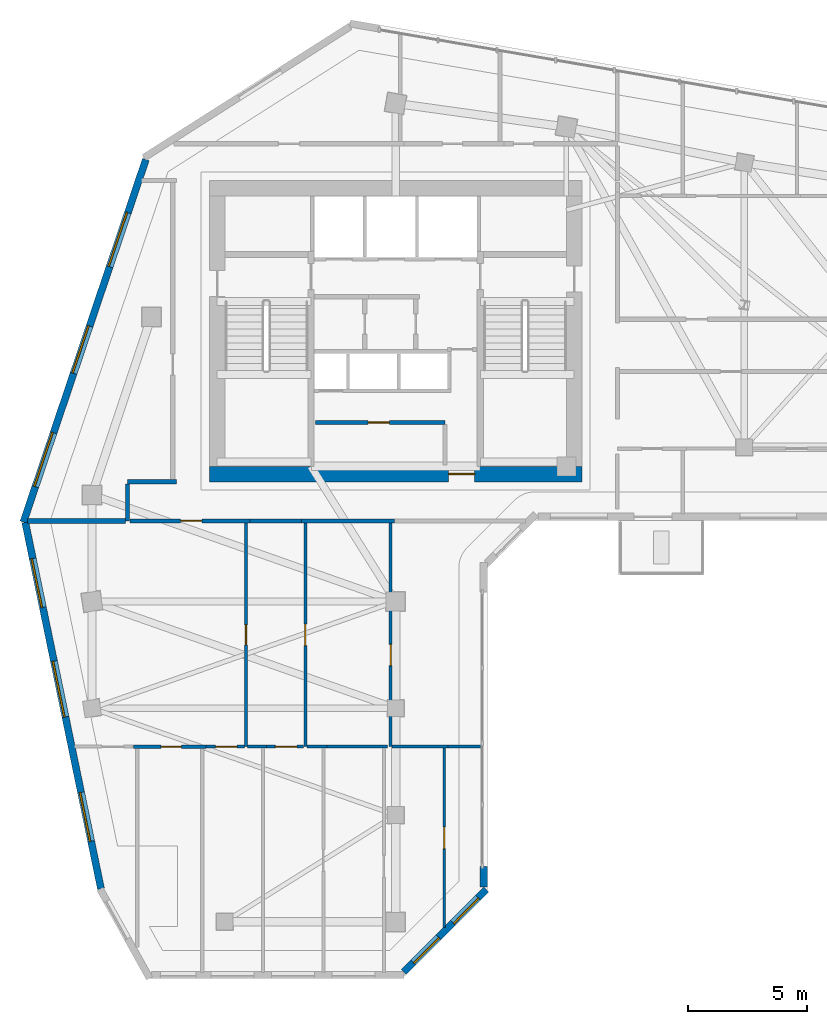
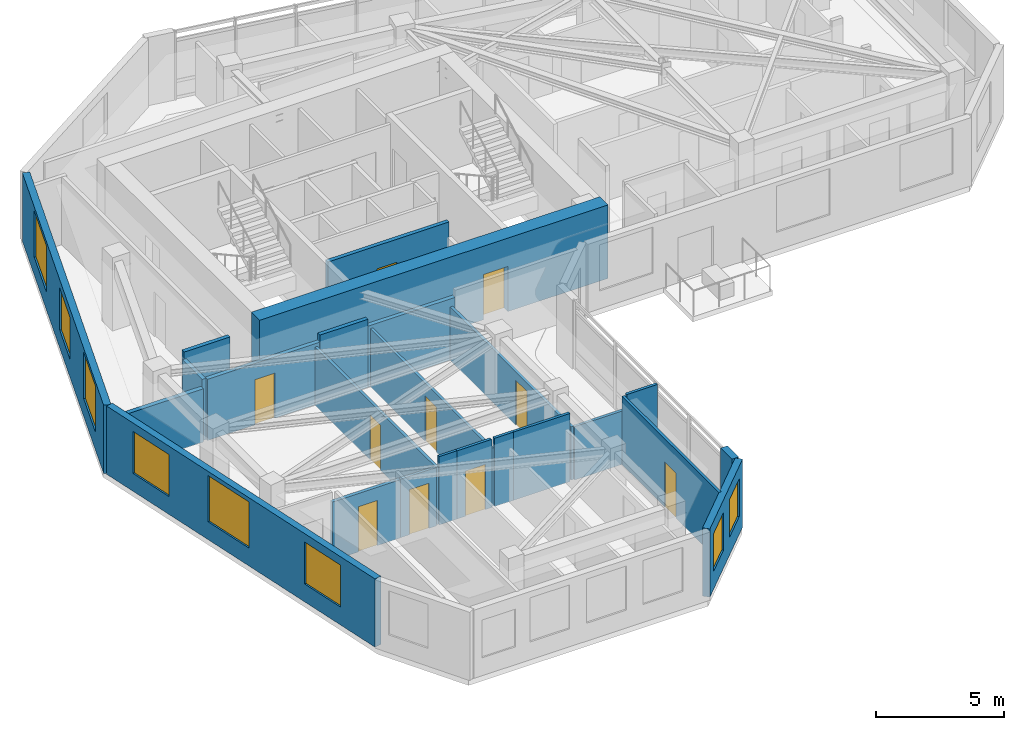
# One storey, part 5 of 11: 24 walls, 10 doors, 8 windows, 18 openings.
"""IFC4 building model written with IfcOpenShell, lengths in metres."""

from ifc_helpers import new_model, si_unit, direction, frame, frame_2d, origin, place, context, subcontext, project, spatial, rectangle, extrude, source, transform, mapped, material, layer, layer_set, type_object, element, fill, save


model = new_model("IFC4")

# Units and contexts
model_context = context("Model", 3, precision=1e-05, world=origin(), true_north=direction((0.0, 1.0)))
body_context = subcontext(model_context, "Body", "Model", "MODEL_VIEW")
ifc_project = project(units=[si_unit("LENGTHUNIT", "METRE"), si_unit("AREAUNIT", "SQUARE_METRE"), si_unit("VOLUMEUNIT", "CUBIC_METRE"), si_unit("PLANEANGLEUNIT", "RADIAN"), si_unit("MASSUNIT", "GRAM", prefix="KILO")], contexts=[model_context])

# Site, building, storey
site_placement = place(None, origin())
site = spatial("IfcSite", under=ifc_project, at=site_placement, CompositionType="ELEMENT")
building_placement = place(site_placement, origin())
building = spatial("IfcBuilding", under=site, at=building_placement, Name="Calvemar Wedge Station Tower", CompositionType="ELEMENT")
storey_placement = place(building_placement, frame((0.0, 0.0, 186.89990234375)))
storey = spatial("IfcBuildingStorey", under=building, at=storey_placement, Name="L46", CompositionType="ELEMENT", Elevation=186.89990234375)

# Wall, opening, door
ifc_material_1 = material(Name="Concrete C60", Category="concrete")
ifc_layer_1 = layer(ifc_material_1, 0.64990234375)
ifc_layer_set_1 = layer_set([ifc_layer_1], Name="Concrete C60")
wall_type_1 = type_object("IfcWallType", Name="SW-CORE-650", PredefinedType="SHEAR", material=ifc_layer_set_1)
wall_1_placement = place(storey_placement, frame((15.949951171875, 33.875, 0.0), z_axis=(0.0, 0.0, 1.0), x_axis=(1.0, 0.0, 0.0)))
wall_1 = element("IfcWall", 1, at=wall_1_placement, inside=storey, type_object=wall_type_1, Name="Storey L46 Core Shear Wall S", PredefinedType="SHEAR", context=body_context, shape_type="SweptSolid", body=[
    extrude(rectangle(XDim=15.699951171875, YDim=0.64990234375, at=frame_2d((7.85009765625, 0.0))), origin(), (0.0, 0.0, 1.0), 3.5),
])
shared_shape_1 = source(origin(), body_context, "Body", "SweptSolid", [
    extrude(rectangle(XDim=1.10009765625, YDim=2.14990234375, at=frame_2d((0.550048828125, 1.074951171875))), frame((0.0, 0.3349609375, 0.0), z_axis=(0.0, -1.0, 0.0), x_axis=(1.0, 0.0, 0.0)), (0.0, 0.0, 1.0), 0.669921875),
])
opening_1_placement = place(wall_1_placement, frame((10.080078125, 0.0, 0.0)))
opening_1 = element("IfcOpeningElement", 2, at=opening_1_placement, cuts=wall_1, Name="Opening FD-90", PredefinedType="OPENING", context=body_context, shape_type="MappedRepresentation", body=[
    mapped(shared_shape_1, transform((0.0, 0.0, 0.0), scale=1.0)),
])
ifc_material_2 = material(Name="Galvanized fire-rated steel door leaf P-90", Category="steel")
door_type_1 = type_object("IfcDoorType", Name="DR-FD90-1100", OperationType="NOTDEFINED", PredefinedType="DOOR", material=ifc_material_2)
shared_shape_2 = source(origin(), body_context, "Body", "SweptSolid", [
    extrude(rectangle(XDim=1.10009765625, YDim=2.14990234375, at=frame_2d((0.550048828125, 1.074951171875))), frame((0.0, 0.02490234375, 0.0), z_axis=(0.0, -1.0, 0.0), x_axis=(1.0, 0.0, 0.0)), (0.0, 0.0, 1.0), 0.050048828125),
])
door_1_placement = place(opening_1_placement, origin())
door_1 = element("IfcDoor", 3, at=door_1_placement, inside=storey, type_object=door_type_1, Name="L46 Passenger Lift Lobby Door", OperationType="SINGLE_SWING_LEFT", OverallHeight=2.14990234375, OverallWidth=1.10009765625, PredefinedType="DOOR", context=body_context, shape_type="MappedRepresentation", body=[
    mapped(shared_shape_2, transform((0.0, 0.0, 0.0), scale=1.0)),
])
fill(opening_1, door_1)

ifc_material_3 = material(Name="Double-stud fire-rated corridor partition")
ifc_layer_2 = layer(ifc_material_3, 0.179931640625)
ifc_layer_set_2 = layer_set([ifc_layer_2], Name="Double-stud fire-rated corridor partition")
wall_type_2 = type_object("IfcWallType", Name="W-CORR-180", PredefinedType="PARTITIONING", material=ifc_layer_set_2)
wall_2_placement = place(storey_placement, frame((20.419921875, 36.050048828125, 0.0), z_axis=(0.0, 0.0, 1.0), x_axis=(1.0, 0.0, 0.0)))
wall_2 = element("IfcWall", 4, at=wall_2_placement, inside=storey, type_object=wall_type_2, Name="Storey L46 Interior Partition WL-L46-006", PredefinedType="PARTITIONING", context=body_context, shape_type="SweptSolid", body=[
    extrude(rectangle(XDim=5.4599609375, YDim=0.179931640625, at=frame_2d((2.72998046875, 0.0))), origin(), (0.0, 0.0, 1.0), 3.25),
])
shared_shape_3 = source(origin(), body_context, "Body", "SweptSolid", [
    extrude(rectangle(XDim=0.89990234375, YDim=2.14990234375, at=frame_2d((0.449951171875, 1.074951171875))), frame((0.0, 0.10009765625, 0.0), z_axis=(0.0, -1.0, 0.0), x_axis=(1.0, 0.0, 0.0)), (0.0, 0.0, 1.0), 0.199951171875),
])
opening_2_placement = place(wall_2_placement, frame((2.219482421875, 0.0, 0.0)))
opening_2 = element("IfcOpeningElement", 5, at=opening_2_placement, cuts=wall_2, Name="Opening FD-60", PredefinedType="OPENING", context=body_context, shape_type="MappedRepresentation", body=[
    mapped(shared_shape_3, transform((0.0, 0.0, 0.0), scale=1.0)),
])
ifc_material_4 = material(Name="Fire-rated acoustic timber-core entrance door EI 60", Category="wood")
door_type_2 = type_object("IfcDoorType", Name="DR-FD60-900", OperationType="NOTDEFINED", PredefinedType="DOOR", material=ifc_material_4)
shared_shape_4 = source(origin(), body_context, "Body", "SweptSolid", [
    extrude(rectangle(XDim=0.89990234375, YDim=2.14990234375, at=frame_2d((0.449951171875, 1.074951171875))), frame((0.0, 0.02490234375, 0.0), z_axis=(0.0, -1.0, 0.0), x_axis=(1.0, 0.0, 0.0)), (0.0, 0.0, 1.0), 0.050048828125),
])
door_2_placement = place(opening_2_placement, origin())
door_2 = element("IfcDoor", 6, at=door_2_placement, inside=storey, type_object=door_type_2, Name="L46 Parcel and Resident Store Door", OperationType="SINGLE_SWING_LEFT", OverallHeight=2.14990234375, OverallWidth=0.89990234375, PredefinedType="DOOR", context=body_context, shape_type="MappedRepresentation", body=[
    mapped(shared_shape_4, transform((0.0, 0.0, 0.0), scale=1.0)),
])
fill(opening_2, door_2)

# Walls
wall_3_placement = place(storey_placement, frame((12.5, 33.550048828125, 0.0), z_axis=(0.0, 0.0, 1.0), x_axis=(1.0, 0.0, 0.0)))
element("IfcWall", 7, at=wall_3_placement, inside=storey, type_object=wall_type_2, Name="Storey L46 Interior Partition WL-L46-008", PredefinedType="PARTITIONING", context=body_context, shape_type="SweptSolid", body=[
    extrude(rectangle(XDim=2.06005859375, YDim=0.179931640625, at=frame_2d((1.030029296875, 0.0))), origin(), (0.0, 0.0, 1.0), 3.25),
])
wall_4_placement = place(storey_placement, frame((12.5, 31.89990234375, 0.0), z_axis=(0.0, 0.0, 1.0), x_axis=(0.0, 1.0, 0.0)))
element("IfcWall", 8, at=wall_4_placement, inside=storey, type_object=wall_type_2, Name="Storey L46 Interior Partition WL-L46-009", PredefinedType="PARTITIONING", context=body_context, shape_type="SweptSolid", body=[
    extrude(rectangle(XDim=1.55615234375, YDim=0.179931640625, at=frame_2d((0.778076171875, 0.0))), origin(), (0.0, 0.0, 1.0), 2.919189453125),
])
wall_5_placement = place(storey_placement, frame((23.7509765625, 31.89990234375, 0.0), z_axis=(0.0, 0.0, 1.0), x_axis=(-1.0, 0.0, 0.0)))
element("IfcWall", 9, at=wall_5_placement, inside=storey, type_object=wall_type_2, Name="Storey L46 Interior Partition WL-L46-010", PredefinedType="PARTITIONING", context=body_context, shape_type="SweptSolid", body=[
    extrude(rectangle(XDim=3.919921875, YDim=0.179931640625, at=frame_2d((1.9599609375, 0.0))), origin(), (0.0, 0.0, 1.0), 2.919189453125),
])

# Wall, opening, door
wall_6_placement = place(storey_placement, frame((17.65087890625, 31.89990234375, 0.0), z_axis=(0.0, 0.0, 1.0), x_axis=(-1.0, 0.0, 0.0)))
wall_6 = element("IfcWall", 10, at=wall_6_placement, inside=storey, type_object=wall_type_2, Name="Storey L46 Interior Partition WL-L46-012", PredefinedType="PARTITIONING", context=body_context, shape_type="SweptSolid", body=[
    extrude(rectangle(XDim=5.056884765625, YDim=0.179931640625, at=frame_2d((2.5283203125, 0.0))), origin(), (0.0, 0.0, 1.0), 2.919189453125),
])
opening_3_placement = place(wall_6_placement, frame((2.0166015625, 0.0, 0.0)))
opening_3 = element("IfcOpeningElement", 11, at=opening_3_placement, cuts=wall_6, Name="Opening FD-60", PredefinedType="OPENING", context=body_context, shape_type="MappedRepresentation", body=[
    mapped(shared_shape_3, transform((0.0, 0.0, 0.0), scale=1.0)),
])
door_3_placement = place(opening_3_placement, origin())
door_3 = element("IfcDoor", 12, at=door_3_placement, inside=storey, type_object=door_type_2, Name="L46 Living Dining Door", OperationType="SINGLE_SWING_LEFT", OverallHeight=2.14990234375, OverallWidth=0.89990234375, PredefinedType="DOOR", context=body_context, shape_type="MappedRepresentation", body=[
    mapped(shared_shape_4, transform((0.0, 0.0, 0.0), scale=1.0)),
])
fill(opening_3, door_3)

# Walls
wall_7_placement = place(storey_placement, frame((19.8291015625, 31.89990234375, 0.0), z_axis=(0.0, 0.0, 1.0), x_axis=(-1.0, 0.0, 0.0)))
element("IfcWall", 13, at=wall_7_placement, inside=storey, type_object=wall_type_2, Name="Storey L46 Interior Partition WL-L46-013", PredefinedType="PARTITIONING", context=body_context, shape_type="SweptSolid", body=[
    extrude(rectangle(XDim=2.176025390625, YDim=0.179931640625, at=frame_2d((1.087890625, 0.0))), origin(), (0.0, 0.0, 1.0), 3.25),
])
ifc_material_5 = material(Name="Twin-stud fire-rated inter-tenancy wall")
ifc_layer_3 = layer(ifc_material_5, 0.199951171875)
ifc_layer_set_3 = layer_set([ifc_layer_3], Name="Twin-stud fire-rated inter-tenancy wall")
wall_type_3 = type_object("IfcWallType", Name="W-DEMISE-200", PredefinedType="PARTITIONING", material=ifc_layer_set_3)
wall_8_placement = place(storey_placement, frame((12.406005859375, 31.89990234375, 0.0), z_axis=(0.0, 0.0, 1.0), x_axis=(-1.0, 0.0, 0.0)))
element("IfcWall", 14, at=wall_8_placement, inside=storey, type_object=wall_type_3, Name="Storey L46 Interior Partition WL-L46-023", PredefinedType="PARTITIONING", context=body_context, shape_type="SweptSolid", body=[
    extrude(rectangle(XDim=4.11474609375, YDim=0.199951171875, at=frame_2d((2.057373046875, 0.0))), origin(), (0.0, 0.0, 1.0), 2.5419921875),
])

# Wall, openings, windows
ifc_material_6 = material(Name="Precast concrete C45", Category="concrete")
ifc_layer_4 = layer(ifc_material_6, 0.300048828125)
ifc_layer_set_4 = layer_set([ifc_layer_4], Name="Precast concrete C45")
wall_type_4 = type_object("IfcWallType", Name="W-EXT-GFRC-300", PredefinedType="SOLIDWALL", material=ifc_layer_set_4)
wall_9_placement = place(storey_placement, frame((24.139892578125, 12.887939453125, 0.0), z_axis=(0.0, 0.0, 1.0), x_axis=(0.707106781187, 0.707106781187, 0.0)))
wall_9 = element("IfcWall", 15, at=wall_9_placement, inside=storey, type_object=wall_type_4, Name="Storey L46 Bronze GFRC Exterior Wall 3", PredefinedType="SOLIDWALL", context=body_context, shape_type="SweptSolid", body=[
    extrude(rectangle(XDim=4.921875, YDim=0.300048828125, at=frame_2d((2.4609375, 0.0))), origin(), (0.0, 0.0, 1.0), 3.25),
])
shared_shape_5 = source(origin(), body_context, "Body", "SweptSolid", [
    extrude(rectangle(XDim=1.5, YDim=1.800048828125, at=frame_2d((0.75, 0.89990234375))), frame((0.0, 0.16015625, 0.0), z_axis=(0.0, -1.0, 0.0), x_axis=(1.0, 0.0, 0.0)), (0.0, 0.0, 1.0), 0.320068359375),
])
opening_4_placement = place(wall_9_placement, frame((0.56689453125, 0.0, 0.85009765625)))
opening_4 = element("IfcOpeningElement", 16, at=opening_4_placement, cuts=wall_9, Name="Opening W3", PredefinedType="OPENING", context=body_context, shape_type="MappedRepresentation", body=[
    mapped(shared_shape_5, transform((0.0, 0.0, 0.0), scale=1.0)),
])
opening_5_placement = place(wall_9_placement, frame((2.927978515625, 0.0, 0.85009765625)))
opening_5 = element("IfcOpeningElement", 17, at=opening_5_placement, cuts=wall_9, Name="Opening W3", PredefinedType="OPENING", context=body_context, shape_type="MappedRepresentation", body=[
    mapped(shared_shape_5, transform((0.0, 0.0, 0.0), scale=1.0)),
])
ifc_material_7 = material(Name="Low-E laminated insulated glass", Category="glass")
window_type_1 = type_object("IfcWindowType", Name="WIN-EXT-3", PartitioningType="SINGLE_PANEL", PredefinedType="WINDOW", material=ifc_material_7)
shared_shape_6 = source(origin(), body_context, "Body", "SweptSolid", [
    extrude(rectangle(XDim=1.5, YDim=1.800048828125, at=frame_2d((0.75, 0.89990234375))), frame((0.0, -0.014892578125, 0.0), z_axis=(0.0, -1.0, 0.0), x_axis=(1.0, 0.0, 0.0)), (0.0, 0.0, 1.0), 0.06005859375),
])
window_1_placement = place(opening_4_placement, origin())
window_1 = element("IfcWindow", 18, at=window_1_placement, inside=storey, type_object=window_type_1, Name="Storey L46 Recessed Window 3.1", OverallHeight=1.800048828125, OverallWidth=1.5, PartitioningType="SINGLE_PANEL", PredefinedType="WINDOW", context=body_context, shape_type="MappedRepresentation", body=[
    mapped(shared_shape_6, transform((0.0, 0.0, 0.0), scale=1.0)),
])
fill(opening_4, window_1)
window_2_placement = place(opening_5_placement, origin())
window_2 = element("IfcWindow", 19, at=window_2_placement, inside=storey, type_object=window_type_1, Name="Storey L46 Recessed Window 3.2", OverallHeight=1.800048828125, OverallWidth=1.5, PartitioningType="SINGLE_PANEL", PredefinedType="WINDOW", context=body_context, shape_type="MappedRepresentation", body=[
    mapped(shared_shape_6, transform((0.0, 0.0, 0.0), scale=1.0)),
])
fill(opening_5, window_2)

# Wall
wall_10_placement = place(storey_placement, frame((27.513916015625, 16.457275390625, 0.0), z_axis=(0.0, 0.0, 1.0), x_axis=(0.0, 1.0, 0.0)))
element("IfcWall", 20, at=wall_10_placement, inside=storey, type_object=wall_type_4, Name="Storey L46 Bronze GFRC Corner Pier 4A", PredefinedType="SOLIDWALL", context=body_context, shape_type="SweptSolid", body=[
    extrude(rectangle(XDim=0.88232421875, YDim=0.300048828125, at=frame_2d((0.441162109375, 0.0))), origin(), (0.0, 0.0, 1.0), 3.25),
])

# Wall, openings, windows
wall_11_placement = place(storey_placement, frame((13.2685546875, 47.1337890625, 0.0), z_axis=(0.0, 0.0, 1.0), x_axis=(-0.319920776449, -0.947444297464, 0.0)))
wall_11 = element("IfcWall", 21, at=wall_11_placement, inside=storey, type_object=wall_type_4, Name="Storey L46 Bronze GFRC Exterior Wall 12", PredefinedType="SOLIDWALL", context=body_context, shape_type="SweptSolid", body=[
    extrude(rectangle(XDim=16.13330078125, YDim=0.300048828125, at=frame_2d((8.066650390625, 0.0))), origin(), (0.0, 0.0, 1.0), 3.25),
])
shared_shape_7 = source(origin(), body_context, "Body", "SweptSolid", [
    extrude(rectangle(XDim=2.39990234375, YDim=2.199951171875, at=frame_2d((1.199951171875, 1.10009765625))), frame((0.0, 0.16015625, 0.0), z_axis=(0.0, -1.0, 0.0), x_axis=(1.0, 0.0, 0.0)), (0.0, 0.0, 1.0), 0.320068359375),
])
opening_6_placement = place(wall_11_placement, frame((2.363037109375, 0.0, 0.85009765625)))
opening_6 = element("IfcOpeningElement", 22, at=opening_6_placement, cuts=wall_11, Name="Opening W1", PredefinedType="OPENING", context=body_context, shape_type="MappedRepresentation", body=[
    mapped(shared_shape_7, transform((0.0, 0.0, 0.0), scale=1.0)),
])
shared_shape_8 = source(origin(), body_context, "Body", "SweptSolid", [
    extrude(rectangle(XDim=2.10009765625, YDim=2.0, at=frame_2d((1.050048828125, 1.0))), frame((0.0, 0.16015625, 0.0), z_axis=(0.0, -1.0, 0.0), x_axis=(1.0, 0.0, 0.0)), (0.0, 0.0, 1.0), 0.320068359375),
])
opening_7_placement = place(wall_11_placement, frame((7.409912109375, 0.0, 0.85009765625)))
opening_7 = element("IfcOpeningElement", 23, at=opening_7_placement, cuts=wall_11, Name="Opening W4", PredefinedType="OPENING", context=body_context, shape_type="MappedRepresentation", body=[
    mapped(shared_shape_8, transform((0.0, 0.0, 0.0), scale=1.0)),
])
opening_8_placement = place(wall_11_placement, frame((12.156982421875, 0.0, 0.85009765625)))
opening_8 = element("IfcOpeningElement", 24, at=opening_8_placement, cuts=wall_11, Name="Opening W1", PredefinedType="OPENING", context=body_context, shape_type="MappedRepresentation", body=[
    mapped(shared_shape_7, transform((0.0, 0.0, 0.0), scale=1.0)),
])
window_type_2 = type_object("IfcWindowType", Name="WIN-EXT-4", PartitioningType="SINGLE_PANEL", PredefinedType="WINDOW", material=ifc_material_7)
shared_shape_9 = source(origin(), body_context, "Body", "SweptSolid", [
    extrude(rectangle(XDim=2.10009765625, YDim=2.0, at=frame_2d((1.050048828125, 1.0))), frame((0.0, -0.014892578125, 0.0), z_axis=(0.0, -1.0, 0.0), x_axis=(1.0, 0.0, 0.0)), (0.0, 0.0, 1.0), 0.06005859375),
])
window_3_placement = place(opening_7_placement, origin())
window_3 = element("IfcWindow", 25, at=window_3_placement, inside=storey, type_object=window_type_2, Name="Storey L46 Recessed Window 12.2", OverallHeight=2.0, OverallWidth=2.10009765625, PartitioningType="SINGLE_PANEL", PredefinedType="WINDOW", context=body_context, shape_type="MappedRepresentation", body=[
    mapped(shared_shape_9, transform((0.0, 0.0, 0.0), scale=1.0)),
])
fill(opening_7, window_3)
window_type_3 = type_object("IfcWindowType", Name="WIN-EXT-1", PartitioningType="SINGLE_PANEL", PredefinedType="WINDOW", material=ifc_material_7)
shared_shape_10 = source(origin(), body_context, "Body", "SweptSolid", [
    extrude(rectangle(XDim=2.39990234375, YDim=2.199951171875, at=frame_2d((1.199951171875, 1.10009765625))), frame((0.0, -0.014892578125, 0.0), z_axis=(0.0, -1.0, 0.0), x_axis=(1.0, 0.0, 0.0)), (0.0, 0.0, 1.0), 0.06005859375),
])
window_4_placement = place(opening_6_placement, origin())
window_4 = element("IfcWindow", 26, at=window_4_placement, inside=storey, type_object=window_type_3, Name="Storey L46 Recessed Window 12.1", OverallHeight=2.199951171875, OverallWidth=2.39990234375, PartitioningType="SINGLE_PANEL", PredefinedType="WINDOW", context=body_context, shape_type="MappedRepresentation", body=[
    mapped(shared_shape_10, transform((0.0, 0.0, 0.0), scale=1.0)),
])
fill(opening_6, window_4)
window_5_placement = place(opening_8_placement, origin())
window_5 = element("IfcWindow", 27, at=window_5_placement, inside=storey, type_object=window_type_3, Name="Storey L46 Recessed Window 12.3", OverallHeight=2.199951171875, OverallWidth=2.39990234375, PartitioningType="SINGLE_PANEL", PredefinedType="WINDOW", context=body_context, shape_type="MappedRepresentation", body=[
    mapped(shared_shape_10, transform((0.0, 0.0, 0.0), scale=1.0)),
])
fill(opening_8, window_5)

wall_12_placement = place(storey_placement, frame((8.1875, 31.833984375, 0.0), z_axis=(0.0, 0.0, 1.0), x_axis=(0.202303475707, -0.979322880217, 0.0)))
wall_12 = element("IfcWall", 28, at=wall_12_placement, inside=storey, type_object=wall_type_4, Name="Storey L46 Bronze GFRC Exterior Wall 13", PredefinedType="SOLIDWALL", context=body_context, shape_type="SweptSolid", body=[
    extrude(rectangle(XDim=15.765625, YDim=0.300048828125, at=frame_2d((7.8828125, 0.0))), origin(), (0.0, 0.0, 1.0), 3.25),
])
opening_9_placement = place(wall_12_placement, frame((1.553955078125, 0.0, 0.85009765625)))
opening_9 = element("IfcOpeningElement", 29, at=opening_9_placement, cuts=wall_12, Name="Opening W4", PredefinedType="OPENING", context=body_context, shape_type="MappedRepresentation", body=[
    mapped(shared_shape_8, transform((0.0, 0.0, 0.0), scale=1.0)),
])
opening_10_placement = place(wall_12_placement, frame((5.970947265625, 0.0, 0.85009765625)))
opening_10 = element("IfcOpeningElement", 30, at=opening_10_placement, cuts=wall_12, Name="Opening W1", PredefinedType="OPENING", context=body_context, shape_type="MappedRepresentation", body=[
    mapped(shared_shape_7, transform((0.0, 0.0, 0.0), scale=1.0)),
])
opening_11_placement = place(wall_12_placement, frame((11.6201171875, 0.0, 0.85009765625)))
opening_11 = element("IfcOpeningElement", 31, at=opening_11_placement, cuts=wall_12, Name="Opening W4", PredefinedType="OPENING", context=body_context, shape_type="MappedRepresentation", body=[
    mapped(shared_shape_8, transform((0.0, 0.0, 0.0), scale=1.0)),
])
window_6_placement = place(opening_9_placement, origin())
window_6 = element("IfcWindow", 32, at=window_6_placement, inside=storey, type_object=window_type_2, Name="Storey L46 Recessed Window 13.1", OverallHeight=2.0, OverallWidth=2.10009765625, PartitioningType="SINGLE_PANEL", PredefinedType="WINDOW", context=body_context, shape_type="MappedRepresentation", body=[
    mapped(shared_shape_9, transform((0.0, 0.0, 0.0), scale=1.0)),
])
fill(opening_9, window_6)
window_7_placement = place(opening_11_placement, origin())
window_7 = element("IfcWindow", 33, at=window_7_placement, inside=storey, type_object=window_type_2, Name="Storey L46 Recessed Window 13.3", OverallHeight=2.0, OverallWidth=2.10009765625, PartitioningType="SINGLE_PANEL", PredefinedType="WINDOW", context=body_context, shape_type="MappedRepresentation", body=[
    mapped(shared_shape_9, transform((0.0, 0.0, 0.0), scale=1.0)),
])
fill(opening_11, window_7)
window_8_placement = place(opening_10_placement, origin())
window_8 = element("IfcWindow", 34, at=window_8_placement, inside=storey, type_object=window_type_3, Name="Storey L46 Recessed Window 13.2", OverallHeight=2.199951171875, OverallWidth=2.39990234375, PartitioningType="SINGLE_PANEL", PredefinedType="WINDOW", context=body_context, shape_type="MappedRepresentation", body=[
    mapped(shared_shape_10, transform((0.0, 0.0, 0.0), scale=1.0)),
])
fill(opening_10, window_8)

# Wall, opening, door
ifc_material_8 = material(Name="Insulated acoustic gypsum stud partition")
ifc_layer_5 = layer(ifc_material_8, 0.125)
ifc_layer_set_5 = layer_set([ifc_layer_5], Name="Insulated acoustic gypsum stud partition")
wall_type_5 = type_object("IfcWallType", Name="W-PART-125", PredefinedType="PARTITIONING", material=ifc_layer_set_5)
wall_13_placement = place(storey_placement, frame((23.591064453125, 31.805908203125, 0.0), z_axis=(0.0, 0.0, 1.0), x_axis=(0.0, -1.0, 0.0)))
wall_13 = element("IfcWall", 35, at=wall_13_placement, inside=storey, type_object=wall_type_5, Name="Storey L46 Interior Partition WL-L46-052", PredefinedType="PARTITIONING", context=body_context, shape_type="SweptSolid", body=[
    extrude(rectangle(XDim=9.4228515625, YDim=0.125, at=frame_2d((4.71142578125, 0.0))), origin(), (0.0, 0.0, 1.0), 2.5419921875),
])
shared_shape_11 = source(origin(), body_context, "Body", "SweptSolid", [
    extrude(rectangle(XDim=0.89990234375, YDim=2.14990234375, at=frame_2d((0.449951171875, 1.074951171875))), frame((0.0, 0.072509765625, 0.0), z_axis=(0.0, -1.0, 0.0), x_axis=(1.0, 0.0, 0.0)), (0.0, 0.0, 1.0), 0.14501953125),
])
opening_12_placement = place(wall_13_placement, frame((5.106201171875, 0.0, 0.0)))
opening_12 = element("IfcOpeningElement", 36, at=opening_12_placement, cuts=wall_13, Name="Opening D-01", PredefinedType="OPENING", context=body_context, shape_type="MappedRepresentation", body=[
    mapped(shared_shape_11, transform((0.0, 0.0, 0.0), scale=1.0)),
])
ifc_material_9 = material(Name="Architectural hardwood acoustic swing door", Category="wood")
door_type_3 = type_object("IfcDoorType", Name="DR-INT-900", OperationType="NOTDEFINED", PredefinedType="DOOR", material=ifc_material_9)
shared_shape_12 = source(origin(), body_context, "Body", "SweptSolid", [
    extrude(rectangle(XDim=0.89990234375, YDim=2.14990234375, at=frame_2d((0.449951171875, 1.074951171875))), frame((0.0, 0.02490234375, 0.0), z_axis=(0.0, -1.0, 0.0), x_axis=(1.0, 0.0, 0.0)), (0.0, 0.0, 1.0), 0.050048828125),
])
door_4_placement = place(opening_12_placement, origin())
door_4 = element("IfcDoor", 37, at=door_4_placement, inside=storey, type_object=door_type_3, Name="L46 Bedroom Door", OperationType="SINGLE_SWING_RIGHT", OverallHeight=2.14990234375, OverallWidth=0.89990234375, PredefinedType="DOOR", context=body_context, shape_type="MappedRepresentation", body=[
    mapped(shared_shape_12, transform((0.0, 0.0, 0.0), scale=1.0)),
])
fill(opening_12, door_4)

wall_14_placement = place(storey_placement, frame((19.990966796875, 22.383056640625, 0.0), z_axis=(0.0, 0.0, 1.0), x_axis=(0.0, 1.0, 0.0)))
wall_14 = element("IfcWall", 38, at=wall_14_placement, inside=storey, type_object=wall_type_5, Name="Storey L46 Interior Partition WL-L46-053", PredefinedType="PARTITIONING", context=body_context, shape_type="SweptSolid", body=[
    extrude(rectangle(XDim=9.4228515625, YDim=0.125, at=frame_2d((4.71142578125, 0.0))), origin(), (0.0, 0.0, 1.0), 2.76611328125),
])
opening_13_placement = place(wall_14_placement, frame((4.261474609375, 0.0, 0.0)))
opening_13 = element("IfcOpeningElement", 39, at=opening_13_placement, cuts=wall_14, Name="Opening D-01", PredefinedType="OPENING", context=body_context, shape_type="MappedRepresentation", body=[
    mapped(shared_shape_11, transform((0.0, 0.0, 0.0), scale=1.0)),
])
door_5_placement = place(opening_13_placement, origin())
door_5 = element("IfcDoor", 40, at=door_5_placement, inside=storey, type_object=door_type_3, Name="L46 Study Door", OperationType="SINGLE_SWING_LEFT", OverallHeight=2.14990234375, OverallWidth=0.89990234375, PredefinedType="DOOR", context=body_context, shape_type="MappedRepresentation", body=[
    mapped(shared_shape_12, transform((0.0, 0.0, 0.0), scale=1.0)),
])
fill(opening_13, door_5)

# Walls
wall_15_placement = place(storey_placement, frame((20.909912109375, 22.383056640625, 0.0), z_axis=(0.0, 0.0, 1.0), x_axis=(-1.0, 0.0, 0.0)))
element("IfcWall", 41, at=wall_15_placement, inside=storey, type_object=wall_type_5, Name="Storey L46 Interior Partition WL-L46-054", PredefinedType="PARTITIONING", context=body_context, shape_type="SweptSolid", body=[
    extrude(rectangle(XDim=0.852294921875, YDim=0.125, at=frame_2d((0.42626953125, 0.0))), origin(), (0.0, 0.0, 1.0), 3.25),
])
wall_16_placement = place(storey_placement, frame((23.4599609375, 22.383056640625, 0.0), z_axis=(0.0, 0.0, 1.0), x_axis=(-1.0, 0.0, 0.0)))
element("IfcWall", 42, at=wall_16_placement, inside=storey, type_object=wall_type_5, Name="Storey L46 Interior Partition WL-L46-055", PredefinedType="PARTITIONING", context=body_context, shape_type="SweptSolid", body=[
    extrude(rectangle(XDim=2.5478515625, YDim=0.125, at=frame_2d((1.27392578125, 0.0))), origin(), (0.0, 0.0, 1.0), 3.25),
])
wall_17_placement = place(storey_placement, frame((26.010009765625, 22.383056640625, 0.0), z_axis=(0.0, 0.0, 1.0), x_axis=(-1.0, 0.0, 0.0)))
element("IfcWall", 43, at=wall_17_placement, inside=storey, type_object=wall_type_5, Name="Storey L46 Interior Partition WL-L46-056", PredefinedType="PARTITIONING", context=body_context, shape_type="SweptSolid", body=[
    extrude(rectangle(XDim=2.3525390625, YDim=0.125, at=frame_2d((1.17626953125, 0.0))), origin(), (0.0, 0.0, 1.0), 2.5419921875),
])
wall_18_placement = place(storey_placement, frame((27.39892578125, 22.383056640625, 0.0), z_axis=(0.0, 0.0, 1.0), x_axis=(-1.0, 0.0, 0.0)))
element("IfcWall", 44, at=wall_18_placement, inside=storey, type_object=wall_type_5, Name="Storey L46 Interior Partition WL-L46-057", PredefinedType="PARTITIONING", context=body_context, shape_type="SweptSolid", body=[
    extrude(rectangle(XDim=1.386962890625, YDim=0.125, at=frame_2d((0.693359375, 0.0))), origin(), (0.0, 0.0, 1.0), 3.25),
])

# Wall, opening, door
wall_19_placement = place(storey_placement, frame((17.490966796875, 31.805908203125, 0.0), z_axis=(0.0, 0.0, 1.0), x_axis=(0.0, -1.0, 0.0)))
wall_19 = element("IfcWall", 45, at=wall_19_placement, inside=storey, type_object=wall_type_5, Name="Storey L46 Interior Partition WL-L46-058", PredefinedType="PARTITIONING", context=body_context, shape_type="SweptSolid", body=[
    extrude(rectangle(XDim=9.4228515625, YDim=0.125, at=frame_2d((4.71142578125, 0.0))), origin(), (0.0, 0.0, 1.0), 2.76611328125),
])
shared_shape_13 = source(origin(), body_context, "Body", "SweptSolid", [
    extrude(rectangle(XDim=0.85009765625, YDim=2.14990234375, at=frame_2d((0.425048828125, 1.074951171875))), frame((0.0, 0.072509765625, 0.0), z_axis=(0.0, -1.0, 0.0), x_axis=(1.0, 0.0, 0.0)), (0.0, 0.0, 1.0), 0.14501953125),
])
opening_14_placement = place(wall_19_placement, frame((4.28662109375, 0.0, 0.0)))
opening_14 = element("IfcOpeningElement", 46, at=opening_14_placement, cuts=wall_19, Name="Opening D-02", PredefinedType="OPENING", context=body_context, shape_type="MappedRepresentation", body=[
    mapped(shared_shape_13, transform((0.0, 0.0, 0.0), scale=1.0)),
])
ifc_material_10 = material(Name="Moisture-sealed bathroom hardwood swing door", Category="wood")
door_type_4 = type_object("IfcDoorType", Name="DR-WET-850", OperationType="NOTDEFINED", PredefinedType="DOOR", material=ifc_material_10)
shared_shape_14 = source(origin(), body_context, "Body", "SweptSolid", [
    extrude(rectangle(XDim=0.85009765625, YDim=2.14990234375, at=frame_2d((0.425048828125, 1.074951171875))), frame((0.0, 0.02490234375, 0.0), z_axis=(0.0, -1.0, 0.0), x_axis=(1.0, 0.0, 0.0)), (0.0, 0.0, 1.0), 0.050048828125),
])
door_6_placement = place(opening_14_placement, origin())
door_6 = element("IfcDoor", 47, at=door_6_placement, inside=storey, type_object=door_type_4, Name="L46 Kitchen Door", OperationType="SINGLE_SWING_RIGHT", OverallHeight=2.14990234375, OverallWidth=0.85009765625, PredefinedType="DOOR", context=body_context, shape_type="MappedRepresentation", body=[
    mapped(shared_shape_14, transform((0.0, 0.0, 0.0), scale=1.0)),
])
fill(opening_14, door_6)

wall_20_placement = place(storey_placement, frame((17.424560546875, 22.383056640625, 0.0), z_axis=(0.0, 0.0, 1.0), x_axis=(-1.0, 0.0, 0.0)))
wall_20 = element("IfcWall", 48, at=wall_20_placement, inside=storey, type_object=wall_type_5, Name="Storey L46 Interior Partition WL-L46-061", PredefinedType="PARTITIONING", context=body_context, shape_type="SweptSolid", body=[
    extrude(rectangle(XDim=1.612548828125, YDim=0.125, at=frame_2d((0.80615234375, 0.0))), origin(), (0.0, 0.0, 1.0), 2.779052734375),
])
opening_15_placement = place(wall_20_placement, frame((0.318115234375, 0.0, 0.0)))
opening_15 = element("IfcOpeningElement", 49, at=opening_15_placement, cuts=wall_20, Name="Opening D-01", PredefinedType="OPENING", context=body_context, shape_type="MappedRepresentation", body=[
    mapped(shared_shape_11, transform((0.0, 0.0, 0.0), scale=1.0)),
])
door_7_placement = place(opening_15_placement, origin())
door_7 = element("IfcDoor", 50, at=door_7_placement, inside=storey, type_object=door_type_3, Name="L46 Master Bedroom Door", OperationType="SINGLE_SWING_LEFT", OverallHeight=2.14990234375, OverallWidth=0.89990234375, PredefinedType="DOOR", context=body_context, shape_type="MappedRepresentation", body=[
    mapped(shared_shape_12, transform((0.0, 0.0, 0.0), scale=1.0)),
])
fill(opening_15, door_7)

# Wall
wall_21_placement = place(storey_placement, frame((18.360107421875, 22.383056640625, 0.0), z_axis=(0.0, 0.0, 1.0), x_axis=(-1.0, 0.0, 0.0)))
element("IfcWall", 51, at=wall_21_placement, inside=storey, type_object=wall_type_5, Name="Storey L46 Interior Partition WL-L46-062", PredefinedType="PARTITIONING", context=body_context, shape_type="SweptSolid", body=[
    extrude(rectangle(XDim=0.802490234375, YDim=0.125, at=frame_2d((0.4013671875, 0.0))), origin(), (0.0, 0.0, 1.0), 3.25),
])

# Wall, opening, door
wall_22_placement = place(storey_placement, frame((19.924560546875, 22.383056640625, 0.0), z_axis=(0.0, 0.0, 1.0), x_axis=(-1.0, 0.0, 0.0)))
wall_22 = element("IfcWall", 52, at=wall_22_placement, inside=storey, type_object=wall_type_5, Name="Storey L46 Interior Partition WL-L46-063", PredefinedType="PARTITIONING", context=body_context, shape_type="SweptSolid", body=[
    extrude(rectangle(XDim=1.5625, YDim=0.125, at=frame_2d((0.78125, 0.0))), origin(), (0.0, 0.0, 1.0), 3.25),
])
opening_16_placement = place(wall_22_placement, frame((0.292724609375, 0.0, 0.0)))
opening_16 = element("IfcOpeningElement", 53, at=opening_16_placement, cuts=wall_22, Name="Opening D-01", PredefinedType="OPENING", context=body_context, shape_type="MappedRepresentation", body=[
    mapped(shared_shape_11, transform((0.0, 0.0, 0.0), scale=1.0)),
])
door_8_placement = place(opening_16_placement, origin())
door_8 = element("IfcDoor", 54, at=door_8_placement, inside=storey, type_object=door_type_3, Name="L46 Bedroom Door", OperationType="SINGLE_SWING_RIGHT", OverallHeight=2.14990234375, OverallWidth=0.89990234375, PredefinedType="DOOR", context=body_context, shape_type="MappedRepresentation", body=[
    mapped(shared_shape_12, transform((0.0, 0.0, 0.0), scale=1.0)),
])
fill(opening_16, door_8)

wall_23_placement = place(storey_placement, frame((25.85009765625, 22.31640625, 0.0), z_axis=(0.0, 0.0, 1.0), x_axis=(0.0, -1.0, 0.0)))
wall_23 = element("IfcWall", 55, at=wall_23_placement, inside=storey, type_object=wall_type_5, Name="Storey L46 Interior Partition WL-L46-069", PredefinedType="PARTITIONING", context=body_context, shape_type="SweptSolid", body=[
    extrude(rectangle(XDim=7.5556640625, YDim=0.125, at=frame_2d((3.77783203125, 0.0))), origin(), (0.0, 0.0, 1.0), 3.25),
])
opening_17_placement = place(wall_23_placement, frame((3.327880859375, 0.0, 0.0)))
opening_17 = element("IfcOpeningElement", 56, at=opening_17_placement, cuts=wall_23, Name="Opening D-01", PredefinedType="OPENING", context=body_context, shape_type="MappedRepresentation", body=[
    mapped(shared_shape_11, transform((0.0, 0.0, 0.0), scale=1.0)),
])
door_9_placement = place(opening_17_placement, origin())
door_9 = element("IfcDoor", 57, at=door_9_placement, inside=storey, type_object=door_type_3, Name="L46 Study Door", OperationType="SINGLE_SWING_LEFT", OverallHeight=2.14990234375, OverallWidth=0.89990234375, PredefinedType="DOOR", context=body_context, shape_type="MappedRepresentation", body=[
    mapped(shared_shape_12, transform((0.0, 0.0, 0.0), scale=1.0)),
])
fill(opening_17, door_9)

ifc_material_11 = material(Name="Moisture-resistant acoustic bathroom partition")
ifc_layer_6 = layer(ifc_material_11, 0.14990234375)
ifc_layer_set_6 = layer_set([ifc_layer_6], Name="Moisture-resistant acoustic bathroom partition")
wall_type_6 = type_object("IfcWallType", Name="W-WET-150", PredefinedType="PARTITIONING", material=ifc_layer_set_6)
wall_24_placement = place(storey_placement, frame((15.81005859375, 22.383056640625, 0.0), z_axis=(0.0, 0.0, 1.0), x_axis=(-1.0, 0.0, 0.0)))
wall_24 = element("IfcWall", 58, at=wall_24_placement, inside=storey, type_object=wall_type_6, Name="Storey L46 Interior Partition WL-L46-059", PredefinedType="PARTITIONING", context=body_context, shape_type="SweptSolid", body=[
    extrude(rectangle(XDim=3.070068359375, YDim=0.14990234375, at=frame_2d((1.53515625, 0.0))), origin(), (0.0, 0.0, 1.0), 2.779052734375),
])
shared_shape_15 = source(origin(), body_context, "Body", "SweptSolid", [
    extrude(rectangle(XDim=0.85009765625, YDim=2.14990234375, at=frame_2d((0.425048828125, 1.074951171875))), frame((0.0, 0.0849609375, 0.0), z_axis=(0.0, -1.0, 0.0), x_axis=(1.0, 0.0, 0.0)), (0.0, 0.0, 1.0), 0.169921875),
])
opening_18_placement = place(wall_24_placement, frame((1.046142578125, 0.0, 0.0)))
opening_18 = element("IfcOpeningElement", 59, at=opening_18_placement, cuts=wall_24, Name="Opening D-02", PredefinedType="OPENING", context=body_context, shape_type="MappedRepresentation", body=[
    mapped(shared_shape_15, transform((0.0, 0.0, 0.0), scale=1.0)),
])
door_10_placement = place(opening_18_placement, origin())
door_10 = element("IfcDoor", 60, at=door_10_placement, inside=storey, type_object=door_type_4, Name="L46 Bathroom Door", OperationType="SINGLE_SWING_LEFT", OverallHeight=2.14990234375, OverallWidth=0.85009765625, PredefinedType="DOOR", context=body_context, shape_type="MappedRepresentation", body=[
    mapped(shared_shape_14, transform((0.0, 0.0, 0.0), scale=1.0)),
])
fill(opening_18, door_10)

save(model, "model.ifc")
